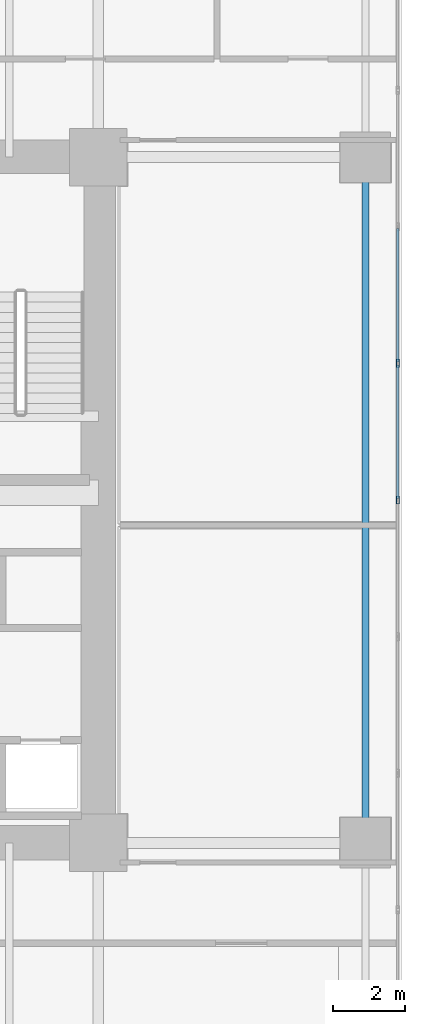
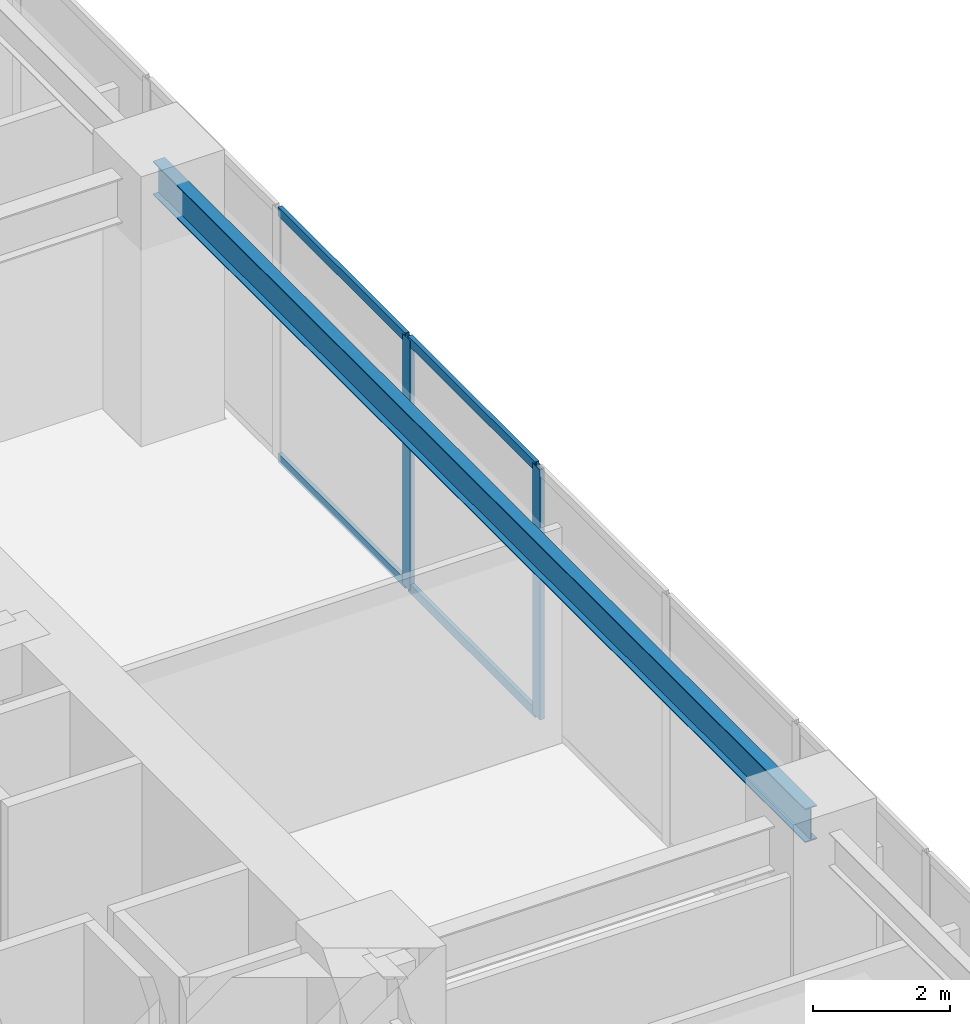
# One storey, part 25 of 39: 6 members, 1 beam, 1 element without a shape of its own.
"""IFC4 building model written with IfcOpenShell, lengths in metres."""

import ifcopenshell
import ifcopenshell.guid

model = None  # the IFC model being written
_history = None  # IfcOwnerHistory: only IFC2X3 demands one
_inside = {}  # id of a spatial element -> (the spatial element, [elements in it])
_under = {}  # id of a project, library or spatial element -> (it, [spatial elements below it])
_declared = {}  # id of a project -> (the project, [libraries it declares])
_typed = {}  # id of a type object -> (the type object, [elements of that type])
_made_of = {}  # id of a material, layer set ... -> (it, [elements and type objects made of it])


def new_model(schema):
    """Start an empty IFC model of exactly this schema.

    Asked for "IFC4X3", IfcOpenShell would pick the latest addendum, in which some entities
    have other attributes; the version numbers below select the first issue.
    IFC2X3 requires an IfcOwnerHistory on every rooted entity: one is made here for all.
    """
    global model, _history
    if schema == "IFC4X3":
        model = ifcopenshell.file(schema_version=(4, 3, 0, 0))
    else:
        model = ifcopenshell.file(schema=schema)
    _inside.clear()
    _under.clear()
    _declared.clear()
    _typed.clear()
    _made_of.clear()
    _history = None
    if model.schema == "IFC2X3":
        org = make("IfcOrganization", Name="unknown")
        user = make(
            "IfcPersonAndOrganization",
            ThePerson=make("IfcPerson", FamilyName="unknown"),
            TheOrganization=org,
        )
        app = make(
            "IfcApplication",
            ApplicationDeveloper=org,
            Version="unknown",
            ApplicationFullName="unknown",
            ApplicationIdentifier="unknown",
        )
        _history = make(
            "IfcOwnerHistory",
            OwningUser=user,
            OwningApplication=app,
            ChangeAction="ADDED",
            CreationDate=0,
        )
    return model


def make(cls, **values):
    """One entity of the class cls with the attributes given. An attribute that is None is left unset."""
    return model.create_entity(
        cls, **{name: value for name, value in values.items() if value is not None}
    )


def rooted(cls, **values):
    """An entity with a GlobalId (a new one), such as an element, a storey or a relation."""
    return make(cls, GlobalId=ifcopenshell.guid.new(), OwnerHistory=_history, **values)


def si_unit(unit_type, name, prefix=None):
    """IfcSIUnit, for example si_unit("LENGTHUNIT", "METRE", prefix="MILLI")."""
    return make("IfcSIUnit", UnitType=unit_type, Prefix=prefix, Name=name)


def assignment(units):
    """IfcUnitAssignment: the units of a project."""
    return None if units is None else make("IfcUnitAssignment", Units=units)


def point(xyz):
    """IfcCartesianPoint."""
    return None if xyz is None else make("IfcCartesianPoint", Coordinates=xyz)


def direction(xyz):
    """IfcDirection."""
    return None if xyz is None else make("IfcDirection", DirectionRatios=xyz)


def frame(location, z_axis=None, x_axis=None):
    """IfcAxis2Placement3D, a coordinate frame: its origin and axes. An axis left out is left unset."""
    return make(
        "IfcAxis2Placement3D",
        Location=point(location),
        Axis=direction(z_axis),
        RefDirection=direction(x_axis),
    )


def frame_2d(location, x_axis=None):
    """IfcAxis2Placement2D, a coordinate frame in the plane: its origin and x axis."""
    return make(
        "IfcAxis2Placement2D", Location=point(location), RefDirection=direction(x_axis)
    )


def origin():
    """The frame at (0, 0, 0) with its axes left unset."""
    return frame((0.0, 0.0, 0.0))


def origin_2d():
    """The frame at (0, 0) in the plane with its x axis left unset."""
    return frame_2d((0.0, 0.0))


def place(relative_to, where):
    """IfcLocalPlacement: puts the frame where relative to a parent placement (None: the world)."""
    return make(
        "IfcLocalPlacement", PlacementRelTo=relative_to, RelativePlacement=where
    )


def context(
    kind, dimensions, precision=None, world=None, true_north=None, identifier=None
):
    """IfcGeometricRepresentationContext, for example the 3D "Model" context."""
    return make(
        "IfcGeometricRepresentationContext",
        ContextIdentifier=identifier,
        ContextType=kind,
        CoordinateSpaceDimension=dimensions,
        Precision=precision,
        WorldCoordinateSystem=world,
        TrueNorth=true_north,
    )


def subcontext(parent, identifier, kind, view, scale=None):
    """IfcGeometricRepresentationSubContext, for example "Body" below "Model"."""
    return make(
        "IfcGeometricRepresentationSubContext",
        ContextIdentifier=identifier,
        ContextType=kind,
        ParentContext=parent,
        TargetScale=scale,
        TargetView=view,
    )


def project(units=None, contexts=None):
    """IfcProject with its units and contexts."""
    return rooted(
        "IfcProject",
        Name="project",
        RepresentationContexts=contexts,
        UnitsInContext=assignment(units),
    )


def spatial(cls, under=None, at=None, **own):
    """A site, building, storey or space (cls), placed at a placement, below another one or the project."""
    s = rooted(cls, ObjectPlacement=at, **own)
    if under is not None:
        _under.setdefault(under.id(), (under, []))[1].append(s)
    return s


def profile(cls, at=None, kind="AREA", **sizes):
    """A parametric profile (cls). Its sizes go by their IFC names, for example OverallWidth=200.0."""
    return make(cls, ProfileType=kind, Position=at, **sizes)


def hollow_rectangle(**sizes):
    """IfcRectangleHollowProfileDef."""
    return profile("IfcRectangleHollowProfileDef", **sizes)


def i_section(**sizes):
    """IfcIShapeProfileDef."""
    return profile("IfcIShapeProfileDef", **sizes)


def extrude(swept, where, along, depth):
    """IfcExtrudedAreaSolid: the profile swept, set in the frame where, extruded along a direction by depth."""
    return make(
        "IfcExtrudedAreaSolid",
        SweptArea=swept,
        Position=where,
        ExtrudedDirection=direction(along),
        Depth=depth,
    )


def shape(context_of_items, identifier, shape_type, items):
    """IfcShapeRepresentation: the items that make up one representation, for example the "Body"."""
    return make(
        "IfcShapeRepresentation",
        ContextOfItems=context_of_items,
        RepresentationIdentifier=identifier,
        RepresentationType=shape_type,
        Items=items,
    )


def source(mapping_origin, context_of_items, identifier, shape_type, items):
    """IfcRepresentationMap: a shape defined once, which mapped items show again and again."""
    return make(
        "IfcRepresentationMap",
        MappingOrigin=mapping_origin,
        MappedRepresentation=shape(context_of_items, identifier, shape_type, items),
    )


def transform(
    local_origin,
    x_axis=None,
    y_axis=None,
    z_axis=None,
    scale=None,
    scale2=None,
    scale3=None,
    uniform=True,
):
    """IfcCartesianTransformationOperator3D, or its non-uniform kind. x_axis, y_axis, z_axis: its Axis1, 2, 3."""
    if uniform:
        return make(
            "IfcCartesianTransformationOperator3D",
            Axis1=direction(x_axis),
            Axis2=direction(y_axis),
            LocalOrigin=point(local_origin),
            Scale=scale,
            Axis3=direction(z_axis),
        )
    return make(
        "IfcCartesianTransformationOperator3DnonUniform",
        Axis1=direction(x_axis),
        Axis2=direction(y_axis),
        LocalOrigin=point(local_origin),
        Scale=scale,
        Axis3=direction(z_axis),
        Scale2=scale2,
        Scale3=scale3,
    )


def mapped(mapping_source, mapping_target):
    """IfcMappedItem: shows the shape of a source again, moved by a transform."""
    return make(
        "IfcMappedItem", MappingSource=mapping_source, MappingTarget=mapping_target
    )


def material(Name=None, Category=None):
    """IfcMaterial."""
    return make("IfcMaterial", Name=Name, Category=Category)


def layer(
    of_material, thickness, ventilated=None, Name=None, Category=None, Priority=None
):
    """IfcMaterialLayer: one layer of a wall or slab, of a material (None: an air gap)."""
    return make(
        "IfcMaterialLayer",
        Material=of_material,
        LayerThickness=thickness,
        IsVentilated=ventilated,
        Name=Name,
        Category=Category,
        Priority=Priority,
    )


def layer_set(layers, Name=None):
    """IfcMaterialLayerSet."""
    return make("IfcMaterialLayerSet", MaterialLayers=layers, LayerSetName=Name)


def material_profile(
    of_material, cross_section, Name=None, Category=None, Priority=None
):
    """IfcMaterialProfile: a cross section and its material."""
    return make(
        "IfcMaterialProfile",
        Name=Name,
        Material=of_material,
        Profile=cross_section,
        Priority=Priority,
        Category=Category,
    )


def profile_set(profiles, Name=None, composite=None):
    """IfcMaterialProfileSet."""
    return make(
        "IfcMaterialProfileSet",
        Name=Name,
        MaterialProfiles=profiles,
        CompositeProfile=composite,
    )


def made_of(thing, what):
    """Note that an element or type object is made of a material, layer set ...; save() writes the relation."""
    if what is not None:
        _made_of.setdefault(what.id(), (what, []))[1].append(thing)
    return thing


def type_object(cls, material=None, **own):
    """A type object (cls), such as IfcWallType, which elements share."""
    return made_of(rooted(cls, **own), material)


def type_shapes(of_type, sources):
    """Give a type object the sources (RepresentationMaps) that its elements show as mapped items."""
    of_type.RepresentationMaps = sources


def element(
    cls,
    number,
    at=None,
    inside=None,
    cuts=None,
    type_object=None,
    material=None,
    context=None,
    identifier="Body",
    shape_type=None,
    held_by="IfcProductDefinitionShape",
    body=None,
    shapes=None,
    **own,
):
    """One element of the class cls, such as IfcWall. Its Tag is "e" and its number.

    at: its placement. inside: the storey or other place that contains it. cuts: it is an
    opening in that element (IfcRelVoidsElement). A single representation is given by context,
    identifier, shape_type and body (its items); several are given by shapes. held_by: the class
    of the entity that holds the representations. save() writes the other relations.
    """
    e = rooted(cls, Tag="e%d" % number, ObjectPlacement=at, **own)
    if body is not None:
        shapes = [shape(context, identifier, shape_type, body)]
    if shapes is not None:
        e.Representation = make(held_by, Representations=shapes)
    if inside is not None:
        _inside.setdefault(inside.id(), (inside, []))[1].append(e)
    if cuts is not None:
        rooted(
            "IfcRelVoidsElement", RelatingBuildingElement=cuts, RelatedOpeningElement=e
        )
    if type_object is not None:
        _typed.setdefault(type_object.id(), (type_object, []))[1].append(e)
    return made_of(e, material)


def aggregate(whole, parts):
    """IfcRelAggregates: a whole, such as a stair, and the parts it consists of."""
    return rooted("IfcRelAggregates", RelatingObject=whole, RelatedObjects=parts)


def save(model, path):
    """Write the relations noted so far, then the file.

    IfcRelAggregates (storeys below a building ...), IfcRelContainedInSpatialStructure (elements
    in a storey), IfcRelDefinesByType, IfcRelAssociatesMaterial and IfcRelDeclares: one each for
    every whole, place, type object, material and project.
    """
    for whole, parts in _under.values():
        aggregate(whole, parts)
    for where, things in _inside.values():
        rooted(
            "IfcRelContainedInSpatialStructure",
            RelatedElements=things,
            RelatingStructure=where,
        )
    for kind, things in _typed.values():
        rooted("IfcRelDefinesByType", RelatedObjects=things, RelatingType=kind)
    for what, things in _made_of.values():
        rooted("IfcRelAssociatesMaterial", RelatedObjects=things, RelatingMaterial=what)
    for by, libraries in _declared.values():
        rooted("IfcRelDeclares", RelatingContext=by, RelatedDefinitions=libraries)
    model.write(path)


model = new_model("IFC4")

# Units and contexts
model_context = context("Model", 3, precision=1e-05, world=origin(), true_north=direction((0.0, 1.0)))
body_context = subcontext(model_context, "Body", "Model", "MODEL_VIEW")
ifc_project = project(units=[si_unit("LENGTHUNIT", "METRE"), si_unit("AREAUNIT", "SQUARE_METRE"), si_unit("VOLUMEUNIT", "CUBIC_METRE"), si_unit("PLANEANGLEUNIT", "RADIAN"), si_unit("MASSUNIT", "GRAM", prefix="KILO")], contexts=[model_context])

# Site, building, storey
site_placement = place(None, origin())
site = spatial("IfcSite", under=ifc_project, at=site_placement, CompositionType="ELEMENT")
building_placement = place(site_placement, origin())
building = spatial("IfcBuilding", under=site, at=building_placement, Name="Haelvirn Gate Laboratories", CompositionType="ELEMENT")
storey_placement = place(building_placement, frame((0.0, 0.0, 15.0)))
storey = spatial("IfcBuildingStorey", under=building, at=storey_placement, Name="L04", CompositionType="ELEMENT", Elevation=15.0)

# Beam
ifc_material_1 = material(Name="Steel SM355", Category="steel")
ifc_material_profile_1 = material_profile(ifc_material_1, i_section(OverallWidth=0.199951171875, OverallDepth=0.60009765625, WebThickness=0.010986328125, FlangeThickness=0.01708984375, at=origin_2d()), Name="H-600x200x11x17")
ifc_profile_set_1 = profile_set([ifc_material_profile_1], Name="Steel SM355")
beam_type = type_object("IfcBeamType", Name="BM-SP-600", PredefinedType="SPANDREL", material=ifc_profile_set_1)
shared_shape_1 = source(origin(), body_context, "Body", "SweptSolid", [
    extrude(i_section(OverallWidth=0.199951171875, OverallDepth=0.60009765625, WebThickness=0.010986328125, FlangeThickness=0.01708984375, at=origin_2d()), origin(), (0.0, 0.0, 1.0), 19.0),
])
type_shapes(beam_type, [shared_shape_1])
beam_placement = place(storey_placement, frame((74.800048828125, 14.800048828125, 4.14990234375), z_axis=(0.0, 1.0, 0.0), x_axis=(-1.0, 0.0, 0.0)))
element("IfcBeam", 1, at=beam_placement, inside=storey, type_object=beam_type, Name="L04 Perimeter Spandrel X74.8 (14.8-33.8)", PredefinedType="SPANDREL", context=body_context, shape_type="MappedRepresentation", body=[
    mapped(shared_shape_1, transform((0.0, 0.0, 0.0), scale=1.0)),
])

# Curtain wall, members
ifc_material_2 = material(Name="Anodised bronze unitised aluminium & triple low-E glass", Category="aluminium")
ifc_layer = layer(ifc_material_2, 0.18798828125, Name="CW-SYS-1")
ifc_layer_set = layer_set([ifc_layer], Name="Anodised bronze unitised aluminium & triple low-E glass")
curtain_wall_type = type_object("IfcCurtainWallType", Name="CW-SYS-1", PredefinedType="NOTDEFINED", material=ifc_layer_set)
curtain_wall_placement = place(storey_placement, origin())
curtain_wall = element("IfcCurtainWall", 2, at=curtain_wall_placement, inside=storey, type_object=curtain_wall_type, Name="L04 Unitised Curtain Wall CW-L04-P1-E03", PredefinedType="NOTDEFINED")
ifc_material_3 = material(Name="Extruded aluminium 6063-T6 (anodised bronze)", Category="aluminium")
ifc_material_profile_2 = material_profile(ifc_material_3, hollow_rectangle(XDim=0.070068359375, YDim=0.159912109375, WallThickness=0.0048828125, at=origin_2d()), Name="CWT-160x70x5")
ifc_profile_set_2 = profile_set([ifc_material_profile_2], Name="Extruded aluminium 6063-T6 (anodised bronze)")
member_type_1 = type_object("IfcMemberType", Name="CWT-T160", PredefinedType="USERDEFINED", material=ifc_profile_set_2)
shared_shape_2 = source(origin(), body_context, "Body", "SweptSolid", [
    extrude(hollow_rectangle(XDim=0.070068359375, YDim=0.159912109375, WallThickness=0.0048828125, at=origin_2d()), origin(), (0.0, 0.0, 1.0), 3.703369140625),
])
member_1_placement = place(storey_placement, frame((75.699951171875, 28.123291015625, 0.034912109375), z_axis=(0.0, 1.0, 0.0), x_axis=(-1.0, 0.0, 0.0)))
member_1 = element("IfcMember", 3, at=member_1_placement, type_object=member_type_1, Name="CW1 transom 8.1", ObjectType="TRANSOM", PredefinedType="USERDEFINED", context=body_context, shape_type="MappedRepresentation", body=[
    mapped(shared_shape_2, transform((0.0, 0.0, 0.0), scale=1.0)),
])
member_2_placement = place(storey_placement, frame((75.699951171875, 28.123291015625, 4.4150390625), z_axis=(0.0, 1.0, 0.0), x_axis=(-1.0, 0.0, 0.0)))
member_2 = element("IfcMember", 4, at=member_2_placement, type_object=member_type_1, Name="CW1 transom 8.2", ObjectType="TRANSOM", PredefinedType="USERDEFINED", context=body_context, shape_type="MappedRepresentation", body=[
    mapped(shared_shape_2, transform((0.0, 0.0, 0.0), scale=1.0)),
])
shared_shape_3 = source(origin(), body_context, "Body", "SweptSolid", [
    extrude(hollow_rectangle(XDim=0.070068359375, YDim=0.159912109375, WallThickness=0.0048828125, at=origin_2d()), origin(), (0.0, 0.0, 1.0), 3.703125),
])
type_shapes(member_type_1, [shared_shape_2, shared_shape_3])
member_3_placement = place(storey_placement, frame((75.699951171875, 24.340087890625, 0.034912109375), z_axis=(0.0, 1.0, 0.0), x_axis=(-1.0, 0.0, 0.0)))
member_3 = element("IfcMember", 5, at=member_3_placement, type_object=member_type_1, Name="CW1 transom 7.1", ObjectType="TRANSOM", PredefinedType="USERDEFINED", context=body_context, shape_type="MappedRepresentation", body=[
    mapped(shared_shape_3, transform((0.0, 0.0, 0.0), scale=1.0)),
])
member_4_placement = place(storey_placement, frame((75.699951171875, 24.340087890625, 4.4150390625), z_axis=(0.0, 1.0, 0.0), x_axis=(-1.0, 0.0, 0.0)))
member_4 = element("IfcMember", 6, at=member_4_placement, type_object=member_type_1, Name="CW1 transom 7.2", ObjectType="TRANSOM", PredefinedType="USERDEFINED", context=body_context, shape_type="MappedRepresentation", body=[
    mapped(shared_shape_3, transform((0.0, 0.0, 0.0), scale=1.0)),
])
ifc_material_profile_3 = material_profile(ifc_material_3, hollow_rectangle(XDim=0.080078125, YDim=0.219970703125, WallThickness=0.006103515625, at=origin_2d()), Name="CWM-220x80x6")
ifc_profile_set_3 = profile_set([ifc_material_profile_3], Name="Extruded aluminium 6063-T6 (anodised bronze)")
member_type_2 = type_object("IfcMemberType", Name="CWM-T220", PredefinedType="MULLION", material=ifc_profile_set_3)
shared_shape_4 = source(origin(), body_context, "Body", "SweptSolid", [
    extrude(hollow_rectangle(XDim=0.080078125, YDim=0.219970703125, WallThickness=0.006103515625, at=origin_2d()), origin(), (0.0, 0.0, 1.0), 4.449951171875),
])
type_shapes(member_type_2, [shared_shape_4])
member_5_placement = place(storey_placement, frame((75.699951171875, 24.300048828125, 0.0), z_axis=(0.0, 0.0, 1.0), x_axis=(-1.0, 0.0, 0.0)))
member_5 = element("IfcMember", 7, at=member_5_placement, type_object=member_type_2, Name="CW1 mullion 7", PredefinedType="MULLION", context=body_context, shape_type="MappedRepresentation", body=[
    mapped(shared_shape_4, transform((0.0, 0.0, 0.0), scale=1.0)),
])
member_6_placement = place(storey_placement, frame((75.699951171875, 28.083251953125, 0.0), z_axis=(0.0, 0.0, 1.0), x_axis=(-1.0, 0.0, 0.0)))
member_6 = element("IfcMember", 8, at=member_6_placement, type_object=member_type_2, Name="CW1 mullion 8", PredefinedType="MULLION", context=body_context, shape_type="MappedRepresentation", body=[
    mapped(shared_shape_4, transform((0.0, 0.0, 0.0), scale=1.0)),
])
aggregate(curtain_wall, [member_5, member_6, member_3, member_4, member_1, member_2])

save(model, "model.ifc")
